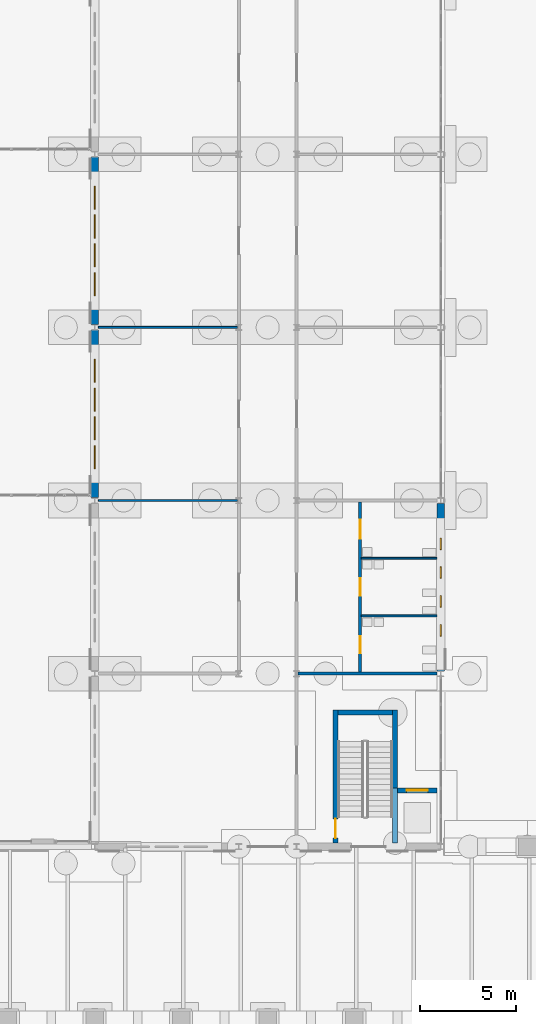
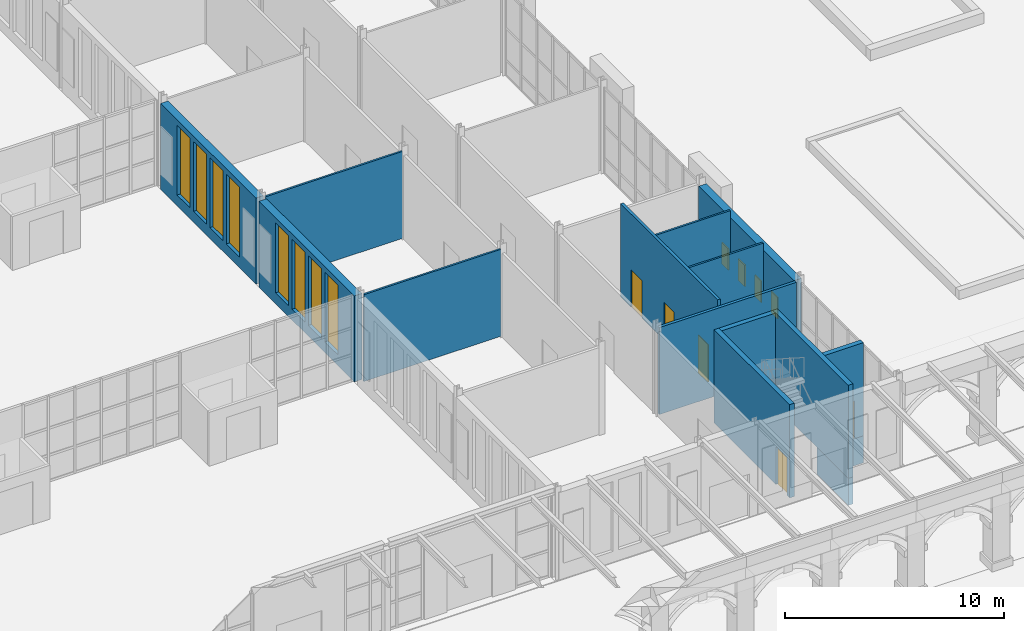
# One storey, part 89 of 168: 15 walls, 12 windows, 5 doors, 17 openings.
"""IFC4 building model written with IfcOpenShell, lengths in metres."""

from ifc_helpers import new_model, si_unit, direction, frame, frame_2d, origin, place, context, subcontext, project, spatial, rectangle, extrude, material, layer, layer_set, type_object, element, fill, save


model = new_model("IFC4")

# Units and contexts
model_context = context("Model", 3, precision=1e-05, world=origin(), true_north=direction((0.0, 1.0)))
body_context = subcontext(model_context, "Body", "Model", "MODEL_VIEW")
ifc_project = project(units=[si_unit("LENGTHUNIT", "METRE"), si_unit("AREAUNIT", "SQUARE_METRE"), si_unit("VOLUMEUNIT", "CUBIC_METRE"), si_unit("PLANEANGLEUNIT", "RADIAN"), si_unit("MASSUNIT", "GRAM", prefix="KILO")], contexts=[model_context])

# Site, building, storey
site_placement = place(None, origin())
site = spatial("IfcSite", under=ifc_project, at=site_placement, CompositionType="ELEMENT")
building_placement = place(site_placement, origin())
building = spatial("IfcBuilding", under=site, at=building_placement, Name="Golden Quay Civic Hall", CompositionType="ELEMENT")
storey_placement = place(building_placement, origin())
storey = spatial("IfcBuildingStorey", under=building, at=storey_placement, Name="L00", CompositionType="ELEMENT", Elevation=0.0)

# Wall
ifc_material_1 = material(Name="Concrete C40/50", Category="concrete")
ifc_layer_1 = layer(ifc_material_1, 0.25)
ifc_layer_set_1 = layer_set([ifc_layer_1], Name="Concrete core wall 250, Concrete C40/50")
wall_type_1 = type_object("IfcWallType", Name="Concrete core wall 250", PredefinedType="SHEAR", material=ifc_layer_set_1)
wall_1_placement = place(storey_placement, frame((114.625, 0.199951171875, 0.0), z_axis=(0.0, 0.0, 1.0), x_axis=(0.0, 1.0, 0.0)))
element("IfcWall", 1, at=wall_1_placement, inside=storey, type_object=wall_type_1, Name="Core wall EM-S-W1", PredefinedType="SHEAR", context=body_context, shape_type="SweptSolid", body=[
    extrude(rectangle(XDim=6.900146484375, YDim=0.25, at=frame_2d((3.4501953125, 0.0))), origin(), (0.0, 0.0, 1.0), 5.199951171875),
])

# Wall, opening, door
wall_2_placement = place(storey_placement, frame((111.52490234375, 0.199951171875, 0.0), z_axis=(0.0, 0.0, 1.0), x_axis=(0.0, 1.0, 0.0)))
wall_2 = element("IfcWall", 2, at=wall_2_placement, inside=storey, type_object=wall_type_1, Name="Core wall EM-S-W2", PredefinedType="SHEAR", context=body_context, shape_type="SweptSolid", body=[
    extrude(rectangle(XDim=6.900146484375, YDim=0.25, at=frame_2d((3.4501953125, 0.0))), origin(), (0.0, 0.0, 1.0), 5.199951171875),
])
opening_1_placement = place(wall_2_placement, frame((0.25, 0.0, 0.0)))
opening_1 = element("IfcOpeningElement", 3, at=opening_1_placement, cuts=wall_2, Name="Opening L00-D139", PredefinedType="OPENING", context=body_context, shape_type="SweptSolid", body=[
    extrude(rectangle(XDim=1.0, YDim=2.10009765625, at=frame_2d((0.5, 1.050048828125))), frame((0.0, 0.135009765625, 0.0), z_axis=(0.0, -1.0, 0.0), x_axis=(1.0, 0.0, 0.0)), (0.0, 0.0, 1.0), 0.27001953125),
])
ifc_material_2 = material(Name="Steel", Category="steel")
door_type_1 = type_object("IfcDoorType", Name="Steel fire door FD60 1000 x 2100", OperationType="SINGLE_SWING_LEFT", PredefinedType="DOOR", material=ifc_material_2)
door_1_placement = place(opening_1_placement, frame((1.0, 0.0, 0.0), z_axis=(0.0, 0.0, 1.0), x_axis=(-1.0, 0.0, 0.0)))
door_1 = element("IfcDoor", 4, at=door_1_placement, inside=storey, type_object=door_type_1, Name="Door L00-D139", OperationType="SINGLE_SWING_RIGHT", OverallHeight=2.10009765625, OverallWidth=1.0, PredefinedType="DOOR", context=body_context, shape_type="SweptSolid", body=[
    extrude(rectangle(XDim=1.0, YDim=2.10009765625, at=frame_2d((0.5, 1.050048828125))), frame((0.0, 0.025146484375, 0.0), z_axis=(0.0, -1.0, 0.0), x_axis=(1.0, 0.0, 0.0)), (0.0, 0.0, 1.0), 0.050048828125),
])
fill(opening_1, door_1)

# Wall
wall_3_placement = place(storey_placement, frame((111.64990234375, 6.97509765625, 0.0), z_axis=(0.0, 0.0, 1.0), x_axis=(1.0, 0.0, 0.0)))
element("IfcWall", 5, at=wall_3_placement, inside=storey, type_object=wall_type_1, Name="Core wall EM-S-W3", PredefinedType="SHEAR", context=body_context, shape_type="SweptSolid", body=[
    extrude(rectangle(XDim=2.85009765625, YDim=0.25, at=frame_2d((1.425048828125, 0.0))), origin(), (0.0, 0.0, 1.0), 5.199951171875),
])

# Wall, opening, door
wall_4_placement = place(storey_placement, frame((114.75, 2.925048828125, 0.0), z_axis=(0.0, 0.0, 1.0), x_axis=(1.0, 0.0, 0.0)))
wall_4 = element("IfcWall", 6, at=wall_4_placement, inside=storey, type_object=wall_type_1, Name="Core wall EM-S-W4", PredefinedType="SHEAR", context=body_context, shape_type="SweptSolid", body=[
    extrude(rectangle(XDim=2.050048828125, YDim=0.25, at=frame_2d((1.02490234375, 0.0))), origin(), (0.0, 0.0, 1.0), 5.199951171875),
])
opening_2_placement = place(wall_4_placement, frame((0.47509765625, 0.0, 0.0)))
opening_2 = element("IfcOpeningElement", 7, at=opening_2_placement, cuts=wall_4, Name="Opening L00-D143", PredefinedType="OPENING", context=body_context, shape_type="SweptSolid", body=[
    extrude(rectangle(XDim=1.10009765625, YDim=2.10009765625, at=frame_2d((0.550048828125, 1.050048828125))), frame((0.0, 0.135009765625, 0.0), z_axis=(0.0, -1.0, 0.0), x_axis=(1.0, 0.0, 0.0)), (0.0, 0.0, 1.0), 0.27001953125),
])
ifc_material_3 = material(Name="Steel", Category="steel")
door_type_2 = type_object("IfcDoorType", Name="Lift landing door 1100 x 2100", OperationType="SLIDING_TO_LEFT", PredefinedType="DOOR", material=ifc_material_3)
door_2_placement = place(opening_2_placement, origin())
door_2 = element("IfcDoor", 8, at=door_2_placement, inside=storey, type_object=door_type_2, Name="Lift landing door L00-D143 EM-S", OperationType="SLIDING_TO_LEFT", OverallHeight=2.10009765625, OverallWidth=1.10009765625, PredefinedType="DOOR", context=body_context, shape_type="SweptSolid", body=[
    extrude(rectangle(XDim=1.10009765625, YDim=2.10009765625, at=frame_2d((0.550048828125, 1.050048828125))), frame((0.0, 0.02490234375, 0.0), z_axis=(0.0, -1.0, 0.0), x_axis=(1.0, 0.0, 0.0)), (0.0, 0.0, 1.0), 0.050048828125),
])
fill(opening_2, door_2)

# Walls
wall_5_placement = place(storey_placement, frame((114.625, 0.199951171875, -1.5), z_axis=(0.0, 0.0, 1.0), x_axis=(0.0, 1.0, 0.0)))
element("IfcWall", 9, at=wall_5_placement, inside=storey, type_object=wall_type_1, Name="Lift pit wall P1", PredefinedType="SHEAR", context=body_context, shape_type="SweptSolid", body=[
    extrude(rectangle(XDim=2.85009765625, YDim=0.25, at=frame_2d((1.425048828125, 0.0))), origin(), (0.0, 0.0, 1.0), 1.5),
])
wall_6_placement = place(storey_placement, frame((114.75, 2.925048828125, -1.5), z_axis=(0.0, 0.0, 1.0), x_axis=(1.0, 0.0, 0.0)))
element("IfcWall", 10, at=wall_6_placement, inside=storey, type_object=wall_type_1, Name="Lift pit wall P2", PredefinedType="SHEAR", context=body_context, shape_type="SweptSolid", body=[
    extrude(rectangle(XDim=2.050048828125, YDim=0.25, at=frame_2d((1.02490234375, 0.0))), origin(), (0.0, 0.0, 1.0), 1.5),
])
ifc_material_4 = material(Name="Plasterboard on steel studs", Category="steel")
ifc_layer_2 = layer(ifc_material_4, 0.10009765625)
ifc_layer_set_2 = layer_set([ifc_layer_2], Name="Partition 100 stud")
wall_type_2 = type_object("IfcWallType", Name="Partition 100 stud", PredefinedType="PARTITIONING", material=ifc_layer_set_2)
for number, where, z_axis, x_axis, name in (
    (11, (99.199951171875, 18.0, 0.0), (0.0, 0.0, 1.0), (1.0, 0.0, 0.0), "Partition L00-005"),
    (12, (99.199951171875, 27.0, 0.0), (0.0, 0.0, 1.0), (1.0, 0.0, 0.0), "Partition L00-006"),
):
    element("IfcWall", number, at=place(storey_placement, frame(where, z_axis=z_axis, x_axis=x_axis)), inside=storey, type_object=wall_type_2, Name=name, PredefinedType="PARTITIONING", context=body_context, shape_type="SweptSolid", body=[
        extrude(rectangle(XDim=7.22509765625, YDim=0.10009765625, at=frame_2d((3.612548828125, 0.0))), origin(), (0.0, 0.0, 1.0), 4.85009765625),
    ])
for number, where, z_axis, x_axis, name in (
    (13, (112.875, 12.0, 0.0), (0.0, 0.0, 1.0), (1.0, 0.0, 0.0), "Partition L00-013"),
    (14, (112.875, 15.0, 0.0), (0.0, 0.0, 1.0), (1.0, 0.0, 0.0), "Partition L00-014"),
):
    element("IfcWall", number, at=place(storey_placement, frame(where, z_axis=z_axis, x_axis=x_axis)), inside=storey, type_object=wall_type_2, Name=name, PredefinedType="PARTITIONING", context=body_context, shape_type="SweptSolid", body=[
        extrude(rectangle(XDim=3.925048828125, YDim=0.10009765625, at=frame_2d((1.96240234375, 0.0))), origin(), (0.0, 0.0, 1.0), 5.199951171875),
    ])
ifc_material_5 = material(Name="Plasterboard on steel studs", Category="steel")
ifc_layer_3 = layer(ifc_material_5, 0.14990234375)
ifc_layer_set_3 = layer_set([ifc_layer_3], Name="Partition 150 stud fire EI 60")
wall_type_3 = type_object("IfcWallType", Name="Partition 150 stud fire EI 60", PredefinedType="PARTITIONING", material=ifc_layer_set_3)
wall_7_placement = place(storey_placement, frame((109.574951171875, 9.0, 0.0), z_axis=(0.0, 0.0, 1.0), x_axis=(1.0, 0.0, 0.0)))
element("IfcWall", 15, at=wall_7_placement, inside=storey, type_object=wall_type_3, Name="Partition L00-009", PredefinedType="PARTITIONING", context=body_context, shape_type="SweptSolid", body=[
    extrude(rectangle(XDim=7.22509765625, YDim=0.14990234375, at=frame_2d((3.612548828125, 0.0))), origin(), (0.0, 0.0, 1.0), 4.85009765625),
])

# Wall, openings, doors
wall_8_placement = place(storey_placement, frame((112.800048828125, 9.074951171875, 0.0), z_axis=(0.0, 0.0, 1.0), x_axis=(0.0, 1.0, 0.0)))
wall_8 = element("IfcWall", 16, at=wall_8_placement, inside=storey, type_object=wall_type_3, Name="Partition L00-012", PredefinedType="PARTITIONING", context=body_context, shape_type="SweptSolid", body=[
    extrude(rectangle(XDim=8.85009765625, YDim=0.14990234375, at=frame_2d((4.425048828125, 0.0))), origin(), (0.0, 0.0, 1.0), 5.199951171875),
])
opening_3_placement = place(wall_8_placement, frame((0.97509765625, 0.0, 0.0)))
opening_3 = element("IfcOpeningElement", 17, at=opening_3_placement, cuts=wall_8, Name="Opening L00-D136", PredefinedType="OPENING", context=body_context, shape_type="SweptSolid", body=[
    extrude(rectangle(XDim=0.89990234375, YDim=2.10009765625, at=frame_2d((0.449951171875, 1.050048828125))), frame((0.0, 0.0849609375, 0.0), z_axis=(0.0, -1.0, 0.0), x_axis=(1.0, 0.0, 0.0)), (0.0, 0.0, 1.0), 0.169921875),
])
opening_4_placement = place(wall_8_placement, frame((3.97509765625, 0.0, 0.0)))
opening_4 = element("IfcOpeningElement", 18, at=opening_4_placement, cuts=wall_8, Name="Opening L00-D137", PredefinedType="OPENING", context=body_context, shape_type="SweptSolid", body=[
    extrude(rectangle(XDim=0.89990234375, YDim=2.10009765625, at=frame_2d((0.449951171875, 1.050048828125))), frame((0.0, 0.0849609375, 0.0), z_axis=(0.0, -1.0, 0.0), x_axis=(1.0, 0.0, 0.0)), (0.0, 0.0, 1.0), 0.169921875),
])
opening_5_placement = place(wall_8_placement, frame((6.925048828125, 0.0, 0.0)))
opening_5 = element("IfcOpeningElement", 19, at=opening_5_placement, cuts=wall_8, Name="Opening L00-D138", PredefinedType="OPENING", context=body_context, shape_type="SweptSolid", body=[
    extrude(rectangle(XDim=1.0, YDim=2.10009765625, at=frame_2d((0.5, 1.050048828125))), frame((0.0, 0.0849609375, 0.0), z_axis=(0.0, -1.0, 0.0), x_axis=(1.0, 0.0, 0.0)), (0.0, 0.0, 1.0), 0.169921875),
])
ifc_material_6 = material(Name="Timber", Category="wood")
door_type_3 = type_object("IfcDoorType", Name="Timber door 1000 x 2100", OperationType="SINGLE_SWING_LEFT", PredefinedType="DOOR", material=ifc_material_6)
door_3_placement = place(opening_5_placement, frame((1.0, 0.0, 0.0), z_axis=(0.0, 0.0, 1.0), x_axis=(-1.0, 0.0, 0.0)))
door_3 = element("IfcDoor", 20, at=door_3_placement, inside=storey, type_object=door_type_3, Name="Door L00-D138", OperationType="SINGLE_SWING_RIGHT", OverallHeight=2.10009765625, OverallWidth=1.0, PredefinedType="DOOR", context=body_context, shape_type="SweptSolid", body=[
    extrude(rectangle(XDim=1.0, YDim=2.10009765625, at=frame_2d((0.5, 1.050048828125))), frame((0.0, 0.025146484375, 0.0), z_axis=(0.0, -1.0, 0.0), x_axis=(1.0, 0.0, 0.0)), (0.0, 0.0, 1.0), 0.050048828125),
])
fill(opening_5, door_3)
ifc_material_7 = material(Name="Timber", Category="wood")
door_type_4 = type_object("IfcDoorType", Name="Timber door 900 x 2100", OperationType="SINGLE_SWING_LEFT", PredefinedType="DOOR", material=ifc_material_7)
door_4_placement = place(opening_3_placement, frame((0.89990234375, 0.0, 0.0), z_axis=(0.0, 0.0, 1.0), x_axis=(-1.0, 0.0, 0.0)))
door_4 = element("IfcDoor", 21, at=door_4_placement, inside=storey, type_object=door_type_4, Name="Door L00-D136", OperationType="SINGLE_SWING_RIGHT", OverallHeight=2.10009765625, OverallWidth=0.89990234375, PredefinedType="DOOR", context=body_context, shape_type="SweptSolid", body=[
    extrude(rectangle(XDim=0.89990234375, YDim=2.10009765625, at=frame_2d((0.449951171875, 1.050048828125))), frame((0.0, 0.025146484375, 0.0), z_axis=(0.0, -1.0, 0.0), x_axis=(1.0, 0.0, 0.0)), (0.0, 0.0, 1.0), 0.050048828125),
])
fill(opening_3, door_4)
door_5_placement = place(opening_4_placement, frame((0.89990234375, 0.0, 0.0), z_axis=(0.0, 0.0, 1.0), x_axis=(-1.0, 0.0, 0.0)))
door_5 = element("IfcDoor", 22, at=door_5_placement, inside=storey, type_object=door_type_4, Name="Door L00-D137", OperationType="SINGLE_SWING_RIGHT", OverallHeight=2.10009765625, OverallWidth=0.89990234375, PredefinedType="DOOR", context=body_context, shape_type="SweptSolid", body=[
    extrude(rectangle(XDim=0.89990234375, YDim=2.10009765625, at=frame_2d((0.449951171875, 1.050048828125))), frame((0.0, 0.025146484375, 0.0), z_axis=(0.0, -1.0, 0.0), x_axis=(1.0, 0.0, 0.0)), (0.0, 0.0, 1.0), 0.050048828125),
])
fill(opening_4, door_5)

# Wall, openings, windows
ifc_material_8 = material(Name="Clay block, rendered, cream")
ifc_layer_4 = layer(ifc_material_8, 0.39990234375)
ifc_layer_set_4 = layer_set([ifc_layer_4], Name="Rendered block external wall 400")
wall_type_4 = type_object("IfcWallType", Name="Rendered block external wall 400", PredefinedType="STANDARD", material=ifc_layer_set_4)
wall_9_placement = place(storey_placement, frame((99.0, 18.14501953125, 0.0), z_axis=(0.0, 0.0, 1.0), x_axis=(0.0, 1.0, 0.0)))
wall_9 = element("IfcWall", 23, at=wall_9_placement, inside=storey, type_object=wall_type_4, Name="Rendered block external wall 400 L00 34", PredefinedType="STANDARD", context=body_context, shape_type="SweptSolid", body=[
    extrude(rectangle(XDim=8.7099609375, YDim=0.39990234375, at=frame_2d((4.35498046875, 0.0))), origin(), (0.0, 0.0, 1.0), 4.800048828125),
])
opening_6_placement = place(wall_9_placement, frame((1.5048828125, 0.0, 0.60009765625)))
opening_6 = element("IfcOpeningElement", 24, at=opening_6_placement, cuts=wall_9, Name="Opening WN3", PredefinedType="OPENING", context=body_context, shape_type="SweptSolid", body=[
    extrude(rectangle(XDim=1.199951171875, YDim=3.89990234375, at=frame_2d((0.60009765625, 1.949951171875))), frame((0.0, 0.2099609375, 0.0), z_axis=(0.0, -1.0, 0.0), x_axis=(1.0, 0.0, 0.0)), (0.0, 0.0, 1.0), 0.419921875),
])
opening_7_placement = place(wall_9_placement, frame((3.0048828125, 0.0, 0.60009765625)))
opening_7 = element("IfcOpeningElement", 25, at=opening_7_placement, cuts=wall_9, Name="Opening WN3", PredefinedType="OPENING", context=body_context, shape_type="SweptSolid", body=[
    extrude(rectangle(XDim=1.199951171875, YDim=3.89990234375, at=frame_2d((0.60009765625, 1.949951171875))), frame((0.0, 0.2099609375, 0.0), z_axis=(0.0, -1.0, 0.0), x_axis=(1.0, 0.0, 0.0)), (0.0, 0.0, 1.0), 0.419921875),
])
opening_8_placement = place(wall_9_placement, frame((4.5048828125, 0.0, 0.60009765625)))
opening_8 = element("IfcOpeningElement", 26, at=opening_8_placement, cuts=wall_9, Name="Opening WN3", PredefinedType="OPENING", context=body_context, shape_type="SweptSolid", body=[
    extrude(rectangle(XDim=1.199951171875, YDim=3.89990234375, at=frame_2d((0.60009765625, 1.949951171875))), frame((0.0, 0.2099609375, 0.0), z_axis=(0.0, -1.0, 0.0), x_axis=(1.0, 0.0, 0.0)), (0.0, 0.0, 1.0), 0.419921875),
])
opening_9_placement = place(wall_9_placement, frame((6.0048828125, 0.0, 0.60009765625)))
opening_9 = element("IfcOpeningElement", 27, at=opening_9_placement, cuts=wall_9, Name="Opening WN3", PredefinedType="OPENING", context=body_context, shape_type="SweptSolid", body=[
    extrude(rectangle(XDim=1.199951171875, YDim=3.89990234375, at=frame_2d((0.60009765625, 1.949951171875))), frame((0.0, 0.2099609375, 0.0), z_axis=(0.0, -1.0, 0.0), x_axis=(1.0, 0.0, 0.0)), (0.0, 0.0, 1.0), 0.419921875),
])
ifc_material_9 = material(Name="Aluminium frame, double glazed", Category="aluminium")
window_type_1 = type_object("IfcWindowType", Name="Golden grid window 1200 x 3900", PartitioningType="SINGLE_PANEL", PredefinedType="WINDOW", material=ifc_material_9)
window_1_placement = place(opening_6_placement, origin())
window_1 = element("IfcWindow", 28, at=window_1_placement, inside=storey, type_object=window_type_1, Name="Golden grid window 1200 x 3900 L00 78", OverallHeight=3.89990234375, OverallWidth=1.199951171875, PartitioningType="SINGLE_PANEL", PredefinedType="WINDOW", context=body_context, shape_type="SweptSolid", body=[
    extrude(rectangle(XDim=1.199951171875, YDim=3.89990234375, at=frame_2d((0.60009765625, 1.949951171875))), frame((0.0, 0.030029296875, 0.0), z_axis=(0.0, -1.0, 0.0), x_axis=(1.0, 0.0, 0.0)), (0.0, 0.0, 1.0), 0.06005859375),
])
fill(opening_6, window_1)
window_2_placement = place(opening_7_placement, origin())
window_2 = element("IfcWindow", 29, at=window_2_placement, inside=storey, type_object=window_type_1, Name="Golden grid window 1200 x 3900 L00 79", OverallHeight=3.89990234375, OverallWidth=1.199951171875, PartitioningType="SINGLE_PANEL", PredefinedType="WINDOW", context=body_context, shape_type="SweptSolid", body=[
    extrude(rectangle(XDim=1.199951171875, YDim=3.89990234375, at=frame_2d((0.60009765625, 1.949951171875))), frame((0.0, 0.030029296875, 0.0), z_axis=(0.0, -1.0, 0.0), x_axis=(1.0, 0.0, 0.0)), (0.0, 0.0, 1.0), 0.06005859375),
])
fill(opening_7, window_2)
window_3_placement = place(opening_8_placement, origin())
window_3 = element("IfcWindow", 30, at=window_3_placement, inside=storey, type_object=window_type_1, Name="Golden grid window 1200 x 3900 L00 80", OverallHeight=3.89990234375, OverallWidth=1.199951171875, PartitioningType="SINGLE_PANEL", PredefinedType="WINDOW", context=body_context, shape_type="SweptSolid", body=[
    extrude(rectangle(XDim=1.199951171875, YDim=3.89990234375, at=frame_2d((0.60009765625, 1.949951171875))), frame((0.0, 0.030029296875, 0.0), z_axis=(0.0, -1.0, 0.0), x_axis=(1.0, 0.0, 0.0)), (0.0, 0.0, 1.0), 0.06005859375),
])
fill(opening_8, window_3)
window_4_placement = place(opening_9_placement, origin())
window_4 = element("IfcWindow", 31, at=window_4_placement, inside=storey, type_object=window_type_1, Name="Golden grid window 1200 x 3900 L00 81", OverallHeight=3.89990234375, OverallWidth=1.199951171875, PartitioningType="SINGLE_PANEL", PredefinedType="WINDOW", context=body_context, shape_type="SweptSolid", body=[
    extrude(rectangle(XDim=1.199951171875, YDim=3.89990234375, at=frame_2d((0.60009765625, 1.949951171875))), frame((0.0, 0.030029296875, 0.0), z_axis=(0.0, -1.0, 0.0), x_axis=(1.0, 0.0, 0.0)), (0.0, 0.0, 1.0), 0.06005859375),
])
fill(opening_9, window_4)

wall_10_placement = place(storey_placement, frame((99.0, 27.14501953125, 0.0), z_axis=(0.0, 0.0, 1.0), x_axis=(0.0, 1.0, 0.0)))
wall_10 = element("IfcWall", 32, at=wall_10_placement, inside=storey, type_object=wall_type_4, Name="Rendered block external wall 400 L00 35", PredefinedType="STANDARD", context=body_context, shape_type="SweptSolid", body=[
    extrude(rectangle(XDim=8.7099609375, YDim=0.39990234375, at=frame_2d((4.35498046875, 0.0))), origin(), (0.0, 0.0, 1.0), 4.800048828125),
])
opening_10_placement = place(wall_10_placement, frame((1.5048828125, 0.0, 0.60009765625)))
opening_10 = element("IfcOpeningElement", 33, at=opening_10_placement, cuts=wall_10, Name="Opening WN3", PredefinedType="OPENING", context=body_context, shape_type="SweptSolid", body=[
    extrude(rectangle(XDim=1.199951171875, YDim=3.89990234375, at=frame_2d((0.60009765625, 1.949951171875))), frame((0.0, 0.2099609375, 0.0), z_axis=(0.0, -1.0, 0.0), x_axis=(1.0, 0.0, 0.0)), (0.0, 0.0, 1.0), 0.419921875),
])
opening_11_placement = place(wall_10_placement, frame((3.0048828125, 0.0, 0.60009765625)))
opening_11 = element("IfcOpeningElement", 34, at=opening_11_placement, cuts=wall_10, Name="Opening WN3", PredefinedType="OPENING", context=body_context, shape_type="SweptSolid", body=[
    extrude(rectangle(XDim=1.199951171875, YDim=3.89990234375, at=frame_2d((0.60009765625, 1.949951171875))), frame((0.0, 0.2099609375, 0.0), z_axis=(0.0, -1.0, 0.0), x_axis=(1.0, 0.0, 0.0)), (0.0, 0.0, 1.0), 0.419921875),
])
opening_12_placement = place(wall_10_placement, frame((4.5048828125, 0.0, 0.60009765625)))
opening_12 = element("IfcOpeningElement", 35, at=opening_12_placement, cuts=wall_10, Name="Opening WN3", PredefinedType="OPENING", context=body_context, shape_type="SweptSolid", body=[
    extrude(rectangle(XDim=1.199951171875, YDim=3.89990234375, at=frame_2d((0.60009765625, 1.949951171875))), frame((0.0, 0.2099609375, 0.0), z_axis=(0.0, -1.0, 0.0), x_axis=(1.0, 0.0, 0.0)), (0.0, 0.0, 1.0), 0.419921875),
])
opening_13_placement = place(wall_10_placement, frame((6.0048828125, 0.0, 0.60009765625)))
opening_13 = element("IfcOpeningElement", 36, at=opening_13_placement, cuts=wall_10, Name="Opening WN3", PredefinedType="OPENING", context=body_context, shape_type="SweptSolid", body=[
    extrude(rectangle(XDim=1.199951171875, YDim=3.89990234375, at=frame_2d((0.60009765625, 1.949951171875))), frame((0.0, 0.2099609375, 0.0), z_axis=(0.0, -1.0, 0.0), x_axis=(1.0, 0.0, 0.0)), (0.0, 0.0, 1.0), 0.419921875),
])
window_5_placement = place(opening_10_placement, origin())
window_5 = element("IfcWindow", 37, at=window_5_placement, inside=storey, type_object=window_type_1, Name="Golden grid window 1200 x 3900 L00 82", OverallHeight=3.89990234375, OverallWidth=1.199951171875, PartitioningType="SINGLE_PANEL", PredefinedType="WINDOW", context=body_context, shape_type="SweptSolid", body=[
    extrude(rectangle(XDim=1.199951171875, YDim=3.89990234375, at=frame_2d((0.60009765625, 1.949951171875))), frame((0.0, 0.030029296875, 0.0), z_axis=(0.0, -1.0, 0.0), x_axis=(1.0, 0.0, 0.0)), (0.0, 0.0, 1.0), 0.06005859375),
])
fill(opening_10, window_5)
window_6_placement = place(opening_11_placement, origin())
window_6 = element("IfcWindow", 38, at=window_6_placement, inside=storey, type_object=window_type_1, Name="Golden grid window 1200 x 3900 L00 83", OverallHeight=3.89990234375, OverallWidth=1.199951171875, PartitioningType="SINGLE_PANEL", PredefinedType="WINDOW", context=body_context, shape_type="SweptSolid", body=[
    extrude(rectangle(XDim=1.199951171875, YDim=3.89990234375, at=frame_2d((0.60009765625, 1.949951171875))), frame((0.0, 0.030029296875, 0.0), z_axis=(0.0, -1.0, 0.0), x_axis=(1.0, 0.0, 0.0)), (0.0, 0.0, 1.0), 0.06005859375),
])
fill(opening_11, window_6)
window_7_placement = place(opening_12_placement, origin())
window_7 = element("IfcWindow", 39, at=window_7_placement, inside=storey, type_object=window_type_1, Name="Golden grid window 1200 x 3900 L00 84", OverallHeight=3.89990234375, OverallWidth=1.199951171875, PartitioningType="SINGLE_PANEL", PredefinedType="WINDOW", context=body_context, shape_type="SweptSolid", body=[
    extrude(rectangle(XDim=1.199951171875, YDim=3.89990234375, at=frame_2d((0.60009765625, 1.949951171875))), frame((0.0, 0.030029296875, 0.0), z_axis=(0.0, -1.0, 0.0), x_axis=(1.0, 0.0, 0.0)), (0.0, 0.0, 1.0), 0.06005859375),
])
fill(opening_12, window_7)
window_8_placement = place(opening_13_placement, origin())
window_8 = element("IfcWindow", 40, at=window_8_placement, inside=storey, type_object=window_type_1, Name="Golden grid window 1200 x 3900 L00 85", OverallHeight=3.89990234375, OverallWidth=1.199951171875, PartitioningType="SINGLE_PANEL", PredefinedType="WINDOW", context=body_context, shape_type="SweptSolid", body=[
    extrude(rectangle(XDim=1.199951171875, YDim=3.89990234375, at=frame_2d((0.60009765625, 1.949951171875))), frame((0.0, 0.030029296875, 0.0), z_axis=(0.0, -1.0, 0.0), x_axis=(1.0, 0.0, 0.0)), (0.0, 0.0, 1.0), 0.06005859375),
])
fill(opening_13, window_8)

wall_11_placement = place(storey_placement, frame((117.0, 17.85498046875, 0.0), z_axis=(0.0, 0.0, 1.0), x_axis=(0.0, -1.0, 0.0)))
wall_11 = element("IfcWall", 41, at=wall_11_placement, inside=storey, type_object=wall_type_4, Name="Rendered block external wall 400 L00 40", PredefinedType="STANDARD", context=body_context, shape_type="SweptSolid", body=[
    extrude(rectangle(XDim=8.7099609375, YDim=0.39990234375, at=frame_2d((4.35498046875, 0.0))), origin(), (0.0, 0.0, 1.0), 4.800048828125),
])
opening_14_placement = place(wall_11_placement, frame((6.304931640625, 0.0, 1.5)))
opening_14 = element("IfcOpeningElement", 42, at=opening_14_placement, cuts=wall_11, Name="Opening WN1", PredefinedType="OPENING", context=body_context, shape_type="SweptSolid", body=[
    extrude(rectangle(XDim=0.60009765625, YDim=1.199951171875, at=frame_2d((0.300048828125, 0.60009765625))), frame((0.0, 0.2099609375, 0.0), z_axis=(0.0, -1.0, 0.0), x_axis=(1.0, 0.0, 0.0)), (0.0, 0.0, 1.0), 0.419921875),
])
opening_15_placement = place(wall_11_placement, frame((4.804931640625, 0.0, 1.5)))
opening_15 = element("IfcOpeningElement", 43, at=opening_15_placement, cuts=wall_11, Name="Opening WN1", PredefinedType="OPENING", context=body_context, shape_type="SweptSolid", body=[
    extrude(rectangle(XDim=0.60009765625, YDim=1.199951171875, at=frame_2d((0.300048828125, 0.60009765625))), frame((0.0, 0.2099609375, 0.0), z_axis=(0.0, -1.0, 0.0), x_axis=(1.0, 0.0, 0.0)), (0.0, 0.0, 1.0), 0.419921875),
])
opening_16_placement = place(wall_11_placement, frame((3.304931640625, 0.0, 1.5)))
opening_16 = element("IfcOpeningElement", 44, at=opening_16_placement, cuts=wall_11, Name="Opening WN1", PredefinedType="OPENING", context=body_context, shape_type="SweptSolid", body=[
    extrude(rectangle(XDim=0.60009765625, YDim=1.199951171875, at=frame_2d((0.300048828125, 0.60009765625))), frame((0.0, 0.2099609375, 0.0), z_axis=(0.0, -1.0, 0.0), x_axis=(1.0, 0.0, 0.0)), (0.0, 0.0, 1.0), 0.419921875),
])
opening_17_placement = place(wall_11_placement, frame((1.804931640625, 0.0, 1.5)))
opening_17 = element("IfcOpeningElement", 45, at=opening_17_placement, cuts=wall_11, Name="Opening WN1", PredefinedType="OPENING", context=body_context, shape_type="SweptSolid", body=[
    extrude(rectangle(XDim=0.60009765625, YDim=1.199951171875, at=frame_2d((0.300048828125, 0.60009765625))), frame((0.0, 0.2099609375, 0.0), z_axis=(0.0, -1.0, 0.0), x_axis=(1.0, 0.0, 0.0)), (0.0, 0.0, 1.0), 0.419921875),
])
ifc_material_10 = material(Name="Aluminium frame, double glazed", Category="aluminium")
window_type_2 = type_object("IfcWindowType", Name="WC window 600 x 1200", PartitioningType="SINGLE_PANEL", PredefinedType="WINDOW", material=ifc_material_10)
window_9_placement = place(opening_14_placement, origin())
window_9 = element("IfcWindow", 46, at=window_9_placement, inside=storey, type_object=window_type_2, Name="WC window 600 x 1200 L00 12", OverallHeight=1.199951171875, OverallWidth=0.60009765625, PartitioningType="SINGLE_PANEL", PredefinedType="WINDOW", context=body_context, shape_type="SweptSolid", body=[
    extrude(rectangle(XDim=0.60009765625, YDim=1.199951171875, at=frame_2d((0.300048828125, 0.60009765625))), frame((0.0, 0.030029296875, 0.0), z_axis=(0.0, -1.0, 0.0), x_axis=(1.0, 0.0, 0.0)), (0.0, 0.0, 1.0), 0.06005859375),
])
fill(opening_14, window_9)
window_10_placement = place(opening_15_placement, origin())
window_10 = element("IfcWindow", 47, at=window_10_placement, inside=storey, type_object=window_type_2, Name="WC window 600 x 1200 L00 13", OverallHeight=1.199951171875, OverallWidth=0.60009765625, PartitioningType="SINGLE_PANEL", PredefinedType="WINDOW", context=body_context, shape_type="SweptSolid", body=[
    extrude(rectangle(XDim=0.60009765625, YDim=1.199951171875, at=frame_2d((0.300048828125, 0.60009765625))), frame((0.0, 0.030029296875, 0.0), z_axis=(0.0, -1.0, 0.0), x_axis=(1.0, 0.0, 0.0)), (0.0, 0.0, 1.0), 0.06005859375),
])
fill(opening_15, window_10)
window_11_placement = place(opening_16_placement, origin())
window_11 = element("IfcWindow", 48, at=window_11_placement, inside=storey, type_object=window_type_2, Name="WC window 600 x 1200 L00 14", OverallHeight=1.199951171875, OverallWidth=0.60009765625, PartitioningType="SINGLE_PANEL", PredefinedType="WINDOW", context=body_context, shape_type="SweptSolid", body=[
    extrude(rectangle(XDim=0.60009765625, YDim=1.199951171875, at=frame_2d((0.300048828125, 0.60009765625))), frame((0.0, 0.030029296875, 0.0), z_axis=(0.0, -1.0, 0.0), x_axis=(1.0, 0.0, 0.0)), (0.0, 0.0, 1.0), 0.06005859375),
])
fill(opening_16, window_11)
window_12_placement = place(opening_17_placement, origin())
window_12 = element("IfcWindow", 49, at=window_12_placement, inside=storey, type_object=window_type_2, Name="WC window 600 x 1200 L00 15", OverallHeight=1.199951171875, OverallWidth=0.60009765625, PartitioningType="SINGLE_PANEL", PredefinedType="WINDOW", context=body_context, shape_type="SweptSolid", body=[
    extrude(rectangle(XDim=0.60009765625, YDim=1.199951171875, at=frame_2d((0.300048828125, 0.60009765625))), frame((0.0, 0.030029296875, 0.0), z_axis=(0.0, -1.0, 0.0), x_axis=(1.0, 0.0, 0.0)), (0.0, 0.0, 1.0), 0.06005859375),
])
fill(opening_17, window_12)

save(model, "model.ifc")
